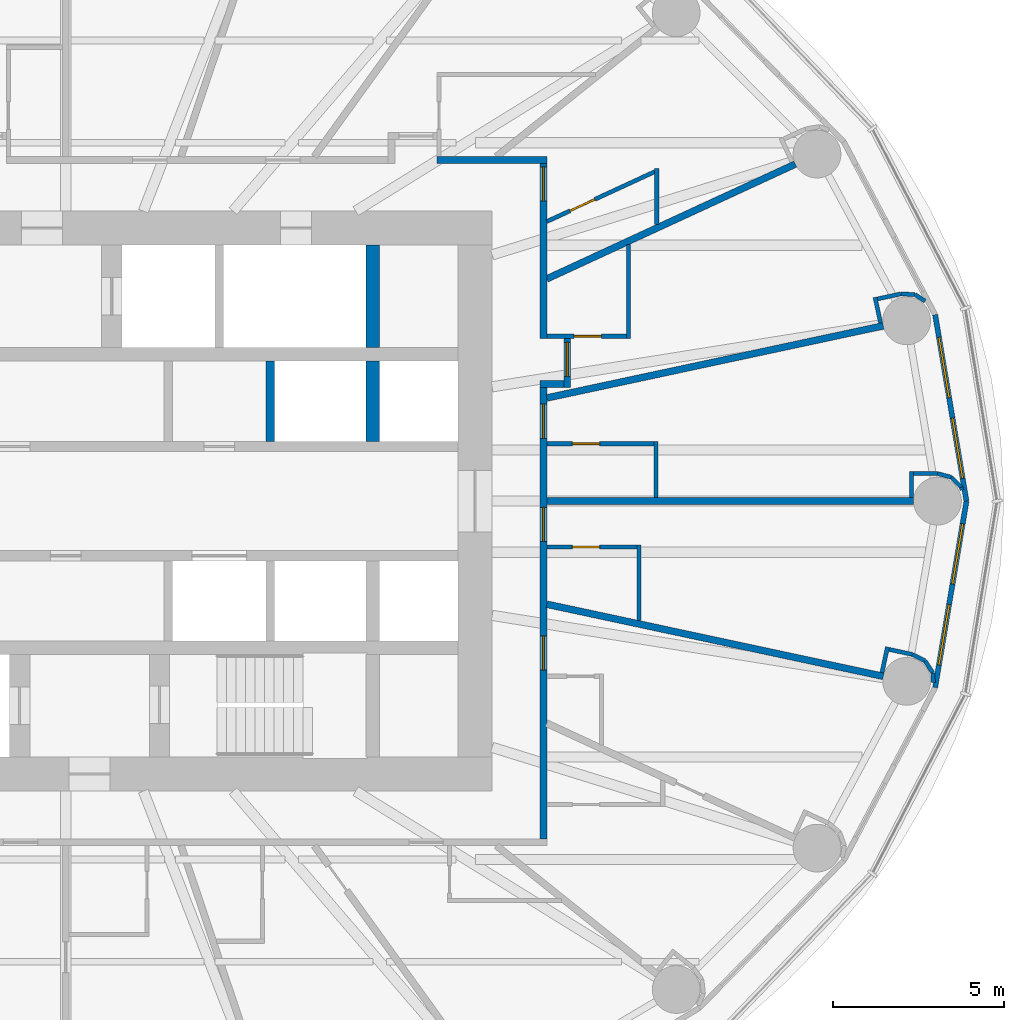
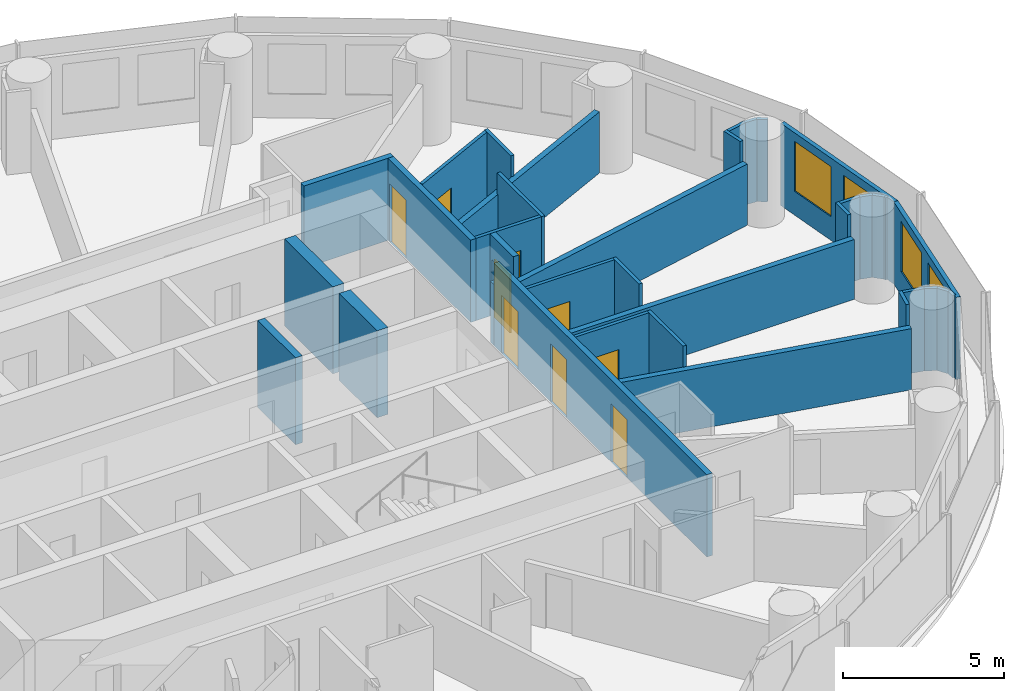
# One storey, part 11 of 16: 36 walls, 9 doors, 4 windows, 13 openings.
"""IFC4 building model written with IfcOpenShell, lengths in metres."""

from ifc_helpers import new_model, si_unit, direction, frame, frame_2d, origin, place, context, subcontext, project, spatial, rectangle, extrude, material, layer, layer_set, type_object, element, fill, save


model = new_model("IFC4")

# Units and contexts
model_context = context("Model", 3, precision=1e-05, world=origin(), true_north=direction((0.0, 1.0)))
body_context = subcontext(model_context, "Body", "Model", "MODEL_VIEW")
ifc_project = project(units=[si_unit("LENGTHUNIT", "METRE"), si_unit("AREAUNIT", "SQUARE_METRE"), si_unit("VOLUMEUNIT", "CUBIC_METRE"), si_unit("PLANEANGLEUNIT", "RADIAN"), si_unit("MASSUNIT", "GRAM", prefix="KILO")], contexts=[model_context])

# Site, building, storey
site_placement = place(None, origin())
site = spatial("IfcSite", under=ifc_project, at=site_placement, CompositionType="ELEMENT")
building_placement = place(site_placement, origin())
building = spatial("IfcBuilding", under=site, at=building_placement, Name="Hankou Lantern Tower", CompositionType="ELEMENT")
storey_placement = place(building_placement, frame((0.0, 0.0, 77.10009765625)))
storey = spatial("IfcBuildingStorey", under=building, at=storey_placement, Name="L19", CompositionType="ELEMENT", Elevation=77.10009765625)

# Walls
ifc_material_1 = material(Name="Concrete C60", Category="concrete")
ifc_layer_1 = layer(ifc_material_1, 0.39990234375)
ifc_layer_set_1 = layer_set([ifc_layer_1], Name="Concrete C60")
wall_type_1 = type_object("IfcWallType", Name="CW4 CORE CROSS WALL 400", PredefinedType="SHEAR", material=ifc_layer_set_1)
wall_1_placement = place(storey_placement, frame((9.0, 4.5, 0.0), z_axis=(0.0, 0.0, 1.0), x_axis=(0.0, 1.0, 0.0)))
element("IfcWall", 1, at=wall_1_placement, inside=storey, type_object=wall_type_1, Name="Core strip wall L19", PredefinedType="SHEAR", context=body_context, shape_type="SweptSolid", body=[
    extrude(rectangle(XDim=3.0, YDim=0.39990234375, at=frame_2d((1.5, 0.0))), origin(), (0.0, 0.0, 1.0), 3.2998046875),
])
wall_2_placement = place(storey_placement, frame((9.0, 1.75, 0.0), z_axis=(0.0, 0.0, 1.0), x_axis=(0.0, 1.0, 0.0)))
element("IfcWall", 2, at=wall_2_placement, inside=storey, type_object=wall_type_1, Name="Core strip wall L19", PredefinedType="SHEAR", context=body_context, shape_type="SweptSolid", body=[
    extrude(rectangle(XDim=2.35009765625, YDim=0.39990234375, at=frame_2d((1.175048828125, 0.0))), origin(), (0.0, 0.0, 1.0), 3.2998046875),
])

# Wall, openings, windows
ifc_material_2 = material(Name="Aluminium spandrel panel on steel studs", Category="steel")
ifc_layer_2 = layer(ifc_material_2, 0.14990234375)
ifc_layer_set_2 = layer_set([ifc_layer_2], Name="Aluminium spandrel panel on steel studs")
wall_type_2 = type_object("IfcWallType", Name="EW1 INNER SKIN WALL 150", PredefinedType="ELEMENTEDWALL", material=ifc_layer_set_2)
wall_3_placement = place(storey_placement, frame((26.39990234375, 0.0, 0.0), z_axis=(0.0, 0.0, 1.0), x_axis=(-0.165642551694, 0.986185857264, 0.0)))
wall_3 = element("IfcWall", 3, at=wall_3_placement, inside=storey, type_object=wall_type_2, Name="Inner skin R01-R02 L19", PredefinedType="ELEMENTEDWALL", context=body_context, shape_type="SweptSolid", body=[
    extrude(rectangle(XDim=5.538818359375, YDim=0.14990234375, at=frame_2d((2.76953125, 0.0))), origin(), (0.0, 0.0, 1.0), 3.119873046875),
])
opening_1_placement = place(wall_3_placement, frame((0.66943359375, 0.0, 0.89990234375)))
opening_1 = element("IfcOpeningElement", 4, at=opening_1_placement, cuts=wall_3, Name="Opening W1", PredefinedType="OPENING", context=body_context, shape_type="SweptSolid", body=[
    extrude(rectangle(XDim=1.800048828125, YDim=1.89990234375, at=frame_2d((0.89990234375, 0.949951171875))), frame((0.0, 0.0849609375, 0.0), z_axis=(0.0, -1.0, 0.0), x_axis=(1.0, 0.0, 0.0)), (0.0, 0.0, 1.0), 0.169921875),
])
opening_2_placement = place(wall_3_placement, frame((3.069580078125, 0.0, 0.89990234375)))
opening_2 = element("IfcOpeningElement", 5, at=opening_2_placement, cuts=wall_3, Name="Opening W1", PredefinedType="OPENING", context=body_context, shape_type="SweptSolid", body=[
    extrude(rectangle(XDim=1.800048828125, YDim=1.89990234375, at=frame_2d((0.89990234375, 0.949951171875))), frame((0.0, 0.0849609375, 0.0), z_axis=(0.0, -1.0, 0.0), x_axis=(1.0, 0.0, 0.0)), (0.0, 0.0, 1.0), 0.169921875),
])
ifc_material_3 = material(Name="Aluminium framed double glazed window", Category="aluminium")
window_type = type_object("IfcWindowType", Name="W1 GUEST ROOM WINDOW 1800X1900", PartitioningType="DOUBLE_PANEL_VERTICAL", PredefinedType="WINDOW", material=ifc_material_3)
window_1_placement = place(opening_1_placement, origin())
window_1 = element("IfcWindow", 6, at=window_1_placement, inside=storey, type_object=window_type, Name="Window R01.1 L19", OverallHeight=1.89990234375, OverallWidth=1.800048828125, PartitioningType="SINGLE_PANEL", PredefinedType="WINDOW", context=body_context, shape_type="SweptSolid", body=[
    extrude(rectangle(XDim=1.800048828125, YDim=1.89990234375, at=frame_2d((0.89990234375, 0.949951171875))), frame((0.0, 0.030029296875, 0.0), z_axis=(0.0, -1.0, 0.0), x_axis=(1.0, 0.0, 0.0)), (0.0, 0.0, 1.0), 0.06005859375),
])
fill(opening_1, window_1)
window_2_placement = place(opening_2_placement, origin())
window_2 = element("IfcWindow", 7, at=window_2_placement, inside=storey, type_object=window_type, Name="Window R01.2 L19", OverallHeight=1.89990234375, OverallWidth=1.800048828125, PartitioningType="SINGLE_PANEL", PredefinedType="WINDOW", context=body_context, shape_type="SweptSolid", body=[
    extrude(rectangle(XDim=1.800048828125, YDim=1.89990234375, at=frame_2d((0.89990234375, 0.949951171875))), frame((0.0, 0.030029296875, 0.0), z_axis=(0.0, -1.0, 0.0), x_axis=(1.0, 0.0, 0.0)), (0.0, 0.0, 1.0), 0.06005859375),
])
fill(opening_2, window_2)

wall_4_placement = place(storey_placement, frame((25.482421875, -5.46240234375, 0.0), z_axis=(0.0, 0.0, 1.0), x_axis=(0.165642551694, 0.986185857264, 0.0)))
wall_4 = element("IfcWall", 8, at=wall_4_placement, inside=storey, type_object=wall_type_2, Name="Inner skin R24-R01 L19", PredefinedType="ELEMENTEDWALL", context=body_context, shape_type="SweptSolid", body=[
    extrude(rectangle(XDim=5.538818359375, YDim=0.14990234375, at=frame_2d((2.76953125, 0.0))), origin(), (0.0, 0.0, 1.0), 3.119873046875),
])
opening_3_placement = place(wall_4_placement, frame((0.66943359375, 0.0, 0.89990234375)))
opening_3 = element("IfcOpeningElement", 9, at=opening_3_placement, cuts=wall_4, Name="Opening W1", PredefinedType="OPENING", context=body_context, shape_type="SweptSolid", body=[
    extrude(rectangle(XDim=1.800048828125, YDim=1.89990234375, at=frame_2d((0.89990234375, 0.949951171875))), frame((0.0, 0.0849609375, 0.0), z_axis=(0.0, -1.0, 0.0), x_axis=(1.0, 0.0, 0.0)), (0.0, 0.0, 1.0), 0.169921875),
])
opening_4_placement = place(wall_4_placement, frame((3.069580078125, 0.0, 0.89990234375)))
opening_4 = element("IfcOpeningElement", 10, at=opening_4_placement, cuts=wall_4, Name="Opening W1", PredefinedType="OPENING", context=body_context, shape_type="SweptSolid", body=[
    extrude(rectangle(XDim=1.800048828125, YDim=1.89990234375, at=frame_2d((0.89990234375, 0.949951171875))), frame((0.0, 0.0849609375, 0.0), z_axis=(0.0, -1.0, 0.0), x_axis=(1.0, 0.0, 0.0)), (0.0, 0.0, 1.0), 0.169921875),
])
window_3_placement = place(opening_3_placement, origin())
window_3 = element("IfcWindow", 11, at=window_3_placement, inside=storey, type_object=window_type, Name="Window R24.1 L19", OverallHeight=1.89990234375, OverallWidth=1.800048828125, PartitioningType="SINGLE_PANEL", PredefinedType="WINDOW", context=body_context, shape_type="SweptSolid", body=[
    extrude(rectangle(XDim=1.800048828125, YDim=1.89990234375, at=frame_2d((0.89990234375, 0.949951171875))), frame((0.0, 0.030029296875, 0.0), z_axis=(0.0, -1.0, 0.0), x_axis=(1.0, 0.0, 0.0)), (0.0, 0.0, 1.0), 0.06005859375),
])
fill(opening_3, window_3)
window_4_placement = place(opening_4_placement, origin())
window_4 = element("IfcWindow", 12, at=window_4_placement, inside=storey, type_object=window_type, Name="Window R24.2 L19", OverallHeight=1.89990234375, OverallWidth=1.800048828125, PartitioningType="SINGLE_PANEL", PredefinedType="WINDOW", context=body_context, shape_type="SweptSolid", body=[
    extrude(rectangle(XDim=1.800048828125, YDim=1.89990234375, at=frame_2d((0.89990234375, 0.949951171875))), frame((0.0, 0.030029296875, 0.0), z_axis=(0.0, -1.0, 0.0), x_axis=(1.0, 0.0, 0.0)), (0.0, 0.0, 1.0), 0.06005859375),
])
fill(opening_4, window_4)

# Walls
ifc_material_4 = material(Name="Masonry lightweight concrete block", Category="masonry")
ifc_layer_3 = layer(ifc_material_4, 0.199951171875)
ifc_layer_set_3 = layer_set([ifc_layer_3], Name="Masonry lightweight concrete block")
wall_type_3 = type_object("IfcWallType", Name="IW1 GUEST ROOM PARTY WALL 200", PredefinedType="PARTITIONING", material=ifc_layer_set_3)
wall_5_placement = place(storey_placement, frame((14.10009765625, 0.0, 0.0), z_axis=(0.0, 0.0, 1.0), x_axis=(1.0, 0.0, 0.0)))
element("IfcWall", 13, at=wall_5_placement, inside=storey, type_object=wall_type_3, Name="Party wall R01", PredefinedType="PARTITIONING", context=body_context, shape_type="SweptSolid", body=[
    extrude(rectangle(XDim=10.75, YDim=0.199951171875, at=frame_2d((5.375, 0.0))), origin(), (0.0, 0.0, 1.0), 2.27001953125),
])
wall_6_placement = place(storey_placement, frame((14.10009765625, 3.0224609375, 0.0), z_axis=(0.0, 0.0, 1.0), x_axis=(0.977790014929, 0.209586943072, 0.0)))
element("IfcWall", 14, at=wall_6_placement, inside=storey, type_object=wall_type_3, Name="Party wall R02", PredefinedType="PARTITIONING", context=body_context, shape_type="SweptSolid", body=[
    extrude(rectangle(XDim=10.086669921875, YDim=0.199951171875, at=frame_2d((5.04345703125, 0.0))), origin(), (0.0, 0.0, 1.0), 2.31982421875),
])
wall_7_placement = place(storey_placement, frame((14.10009765625, 6.512451171875, 0.0), z_axis=(0.0, 0.0, 1.0), x_axis=(0.907832871056, 0.419332181247, 0.0)))
element("IfcWall", 15, at=wall_7_placement, inside=storey, type_object=wall_type_3, Name="Party wall R03", PredefinedType="PARTITIONING", context=body_context, shape_type="SweptSolid", body=[
    extrude(rectangle(XDim=8.02294921875, YDim=0.199951171875, at=frame_2d((4.011474609375, 0.0))), origin(), (0.0, 0.0, 1.0), 2.31982421875),
])
wall_8_placement = place(storey_placement, frame((14.10009765625, -3.0224609375, 0.0), z_axis=(0.0, 0.0, 1.0), x_axis=(0.977790014929, -0.209586943072, 0.0)))
element("IfcWall", 16, at=wall_8_placement, inside=storey, type_object=wall_type_3, Name="Party wall R24", PredefinedType="PARTITIONING", context=body_context, shape_type="SweptSolid", body=[
    extrude(rectangle(XDim=10.086669921875, YDim=0.199951171875, at=frame_2d((5.04345703125, 0.0))), origin(), (0.0, 0.0, 1.0), 2.31982421875),
])

# Wall, opening, door
ifc_material_5 = material(Name="Masonry lightweight concrete block", Category="masonry")
ifc_layer_4 = layer(ifc_material_5, 0.199951171875)
ifc_layer_set_4 = layer_set([ifc_layer_4], Name="Masonry lightweight concrete block")
wall_type_4 = type_object("IfcWallType", Name="IW2 CORRIDOR WALL 200", PredefinedType="PARTITIONING", material=ifc_layer_set_4)
wall_9_placement = place(storey_placement, frame((14.699951171875, 3.33251953125, 0.0), z_axis=(0.0, 0.0, 1.0), x_axis=(0.0, 1.0, 0.0)))
wall_9 = element("IfcWall", 17, at=wall_9_placement, inside=storey, type_object=wall_type_4, Name="Corridor recess wall 1907 back", PredefinedType="PARTITIONING", context=body_context, shape_type="SweptSolid", body=[
    extrude(rectangle(XDim=1.43994140625, YDim=0.199951171875, at=frame_2d((0.719970703125, 0.0))), origin(), (0.0, 0.0, 1.0), 3.119873046875),
])
opening_5_placement = place(wall_9_placement, frame((0.320068359375, 0.0, 0.0)))
opening_5 = element("IfcOpeningElement", 18, at=opening_5_placement, cuts=wall_9, Name="Opening D1", PredefinedType="OPENING", context=body_context, shape_type="SweptSolid", body=[
    extrude(rectangle(XDim=1.0, YDim=2.199951171875, at=frame_2d((0.5, 1.10009765625))), frame((0.0, 0.10986328125, 0.0), z_axis=(0.0, -1.0, 0.0), x_axis=(1.0, 0.0, 0.0)), (0.0, 0.0, 1.0), 0.219970703125),
])
ifc_material_6 = material(Name="Steel door leaf", Category="steel")
door_type_1 = type_object("IfcDoorType", Name="D1 GUEST ROOM DOOR 1000X2200", OperationType="SINGLE_SWING_LEFT", PredefinedType="DOOR", material=ifc_material_6)
door_1_placement = place(opening_5_placement, origin())
door_1 = element("IfcDoor", 19, at=door_1_placement, inside=storey, type_object=door_type_1, Name="Guest room door 1907", OperationType="SINGLE_SWING_RIGHT", OverallHeight=2.199951171875, OverallWidth=1.0, PredefinedType="DOOR", context=body_context, shape_type="SweptSolid", body=[
    extrude(rectangle(XDim=1.0, YDim=2.199951171875, at=frame_2d((0.5, 1.10009765625))), frame((0.0, 0.02490234375, 0.0), z_axis=(0.0, -1.0, 0.0), x_axis=(1.0, 0.0, 0.0)), (0.0, 0.0, 1.0), 0.050048828125),
])
fill(opening_5, door_1)

# Wall
wall_10_placement = place(storey_placement, frame((13.89990234375, 3.4326171875, 0.0), z_axis=(0.0, 0.0, 1.0), x_axis=(1.0, 0.0, 0.0)))
element("IfcWall", 20, at=wall_10_placement, inside=storey, type_object=wall_type_4, Name="Corridor recess wall 1907 side", PredefinedType="PARTITIONING", context=body_context, shape_type="SweptSolid", body=[
    extrude(rectangle(XDim=0.7001953125, YDim=0.199951171875, at=frame_2d((0.35009765625, 0.0))), origin(), (0.0, 0.0, 1.0), 2.31982421875),
])

# Wall, openings, doors
wall_11_placement = place(storey_placement, frame((14.0, -9.89990234375, 0.0), z_axis=(0.0, 0.0, 1.0), x_axis=(0.0, 1.0, 0.0)))
wall_11 = element("IfcWall", 21, at=wall_11_placement, inside=storey, type_object=wall_type_4, Name="Corridor wall east", PredefinedType="PARTITIONING", context=body_context, shape_type="SweptSolid", body=[
    extrude(rectangle(XDim=13.232421875, YDim=0.199951171875, at=frame_2d((6.6162109375, 0.0))), origin(), (0.0, 0.0, 1.0), 3.119873046875),
])
opening_6_placement = place(wall_11_placement, frame((4.947509765625, 0.0, 0.0)))
opening_6 = element("IfcOpeningElement", 22, at=opening_6_placement, cuts=wall_11, Name="Opening D2", PredefinedType="OPENING", context=body_context, shape_type="SweptSolid", body=[
    extrude(rectangle(XDim=1.0, YDim=2.199951171875, at=frame_2d((0.5, 1.10009765625))), frame((0.0, 0.10986328125, 0.0), z_axis=(0.0, -1.0, 0.0), x_axis=(1.0, 0.0, 0.0)), (0.0, 0.0, 1.0), 0.219970703125),
])
opening_7_placement = place(wall_11_placement, frame((8.717529296875, 0.0, 0.0)))
opening_7 = element("IfcOpeningElement", 23, at=opening_7_placement, cuts=wall_11, Name="Opening D1", PredefinedType="OPENING", context=body_context, shape_type="SweptSolid", body=[
    extrude(rectangle(XDim=1.0, YDim=2.199951171875, at=frame_2d((0.5, 1.10009765625))), frame((0.0, 0.10986328125, 0.0), z_axis=(0.0, -1.0, 0.0), x_axis=(1.0, 0.0, 0.0)), (0.0, 0.0, 1.0), 0.219970703125),
])
opening_8_placement = place(wall_11_placement, frame((11.739990234375, 0.0, 0.0)))
opening_8 = element("IfcOpeningElement", 24, at=opening_8_placement, cuts=wall_11, Name="Opening D1", PredefinedType="OPENING", context=body_context, shape_type="SweptSolid", body=[
    extrude(rectangle(XDim=1.0, YDim=2.199951171875, at=frame_2d((0.5, 1.10009765625))), frame((0.0, 0.10986328125, 0.0), z_axis=(0.0, -1.0, 0.0), x_axis=(1.0, 0.0, 0.0)), (0.0, 0.0, 1.0), 0.219970703125),
])
door_2_placement = place(opening_7_placement, origin())
door_2 = element("IfcDoor", 25, at=door_2_placement, inside=storey, type_object=door_type_1, Name="Guest room door 1905", OperationType="SINGLE_SWING_LEFT", OverallHeight=2.199951171875, OverallWidth=1.0, PredefinedType="DOOR", context=body_context, shape_type="SweptSolid", body=[
    extrude(rectangle(XDim=1.0, YDim=2.199951171875, at=frame_2d((0.5, 1.10009765625))), frame((0.0, 0.02490234375, 0.0), z_axis=(0.0, -1.0, 0.0), x_axis=(1.0, 0.0, 0.0)), (0.0, 0.0, 1.0), 0.050048828125),
])
fill(opening_7, door_2)
door_3_placement = place(opening_8_placement, origin())
door_3 = element("IfcDoor", 26, at=door_3_placement, inside=storey, type_object=door_type_1, Name="Guest room door 1906", OperationType="SINGLE_SWING_LEFT", OverallHeight=2.199951171875, OverallWidth=1.0, PredefinedType="DOOR", context=body_context, shape_type="SweptSolid", body=[
    extrude(rectangle(XDim=1.0, YDim=2.199951171875, at=frame_2d((0.5, 1.10009765625))), frame((0.0, 0.02490234375, 0.0), z_axis=(0.0, -1.0, 0.0), x_axis=(1.0, 0.0, 0.0)), (0.0, 0.0, 1.0), 0.050048828125),
])
fill(opening_8, door_3)
ifc_material_7 = material(Name="Steel door leaf", Category="steel")
door_type_2 = type_object("IfcDoorType", Name="D2 SUITE DOOR 1000X2200", OperationType="SINGLE_SWING_LEFT", PredefinedType="DOOR", material=ifc_material_7)
door_4_placement = place(opening_6_placement, origin())
door_4 = element("IfcDoor", 27, at=door_4_placement, inside=storey, type_object=door_type_2, Name="Suite door 1904C", OperationType="SINGLE_SWING_LEFT", OverallHeight=2.199951171875, OverallWidth=1.0, PredefinedType="DOOR", context=body_context, shape_type="SweptSolid", body=[
    extrude(rectangle(XDim=1.0, YDim=2.199951171875, at=frame_2d((0.5, 1.10009765625))), frame((0.0, 0.02490234375, 0.0), z_axis=(0.0, -1.0, 0.0), x_axis=(1.0, 0.0, 0.0)), (0.0, 0.0, 1.0), 0.050048828125),
])
fill(opening_6, door_4)

# Wall, opening, door
wall_12_placement = place(storey_placement, frame((14.0, 4.7724609375, 0.0), z_axis=(0.0, 0.0, 1.0), x_axis=(0.0, 1.0, 0.0)))
wall_12 = element("IfcWall", 28, at=wall_12_placement, inside=storey, type_object=wall_type_4, Name="Corridor wall east", PredefinedType="PARTITIONING", context=body_context, shape_type="SweptSolid", body=[
    extrude(rectangle(XDim=5.12744140625, YDim=0.199951171875, at=frame_2d((2.563720703125, 0.0))), origin(), (0.0, 0.0, 1.0), 3.119873046875),
])
opening_9_placement = place(wall_12_placement, frame((4.02490234375, 0.0, 0.0)))
opening_9 = element("IfcOpeningElement", 29, at=opening_9_placement, cuts=wall_12, Name="Opening D1", PredefinedType="OPENING", context=body_context, shape_type="SweptSolid", body=[
    extrude(rectangle(XDim=1.0, YDim=2.199951171875, at=frame_2d((0.5, 1.10009765625))), frame((0.0, 0.10986328125, 0.0), z_axis=(0.0, -1.0, 0.0), x_axis=(1.0, 0.0, 0.0)), (0.0, 0.0, 1.0), 0.219970703125),
])
door_5_placement = place(opening_9_placement, origin())
door_5 = element("IfcDoor", 30, at=door_5_placement, inside=storey, type_object=door_type_1, Name="Guest room door 1908", OperationType="SINGLE_SWING_RIGHT", OverallHeight=2.199951171875, OverallWidth=1.0, PredefinedType="DOOR", context=body_context, shape_type="SweptSolid", body=[
    extrude(rectangle(XDim=1.0, YDim=2.199951171875, at=frame_2d((0.5, 1.10009765625))), frame((0.0, 0.02490234375, 0.0), z_axis=(0.0, -1.0, 0.0), x_axis=(1.0, 0.0, 0.0)), (0.0, 0.0, 1.0), 0.050048828125),
])
fill(opening_9, door_5)

# Walls
wall_13_placement = place(storey_placement, frame((10.885009765625, 10.0, 0.0), z_axis=(0.0, 0.0, 1.0), x_axis=(1.0, 0.0, 0.0)))
element("IfcWall", 31, at=wall_13_placement, inside=storey, type_object=wall_type_4, Name="Corridor wall north", PredefinedType="PARTITIONING", context=body_context, shape_type="SweptSolid", body=[
    extrude(rectangle(XDim=3.215087890625, YDim=0.199951171875, at=frame_2d((1.607421875, 0.0))), origin(), (0.0, 0.0, 1.0), 3.119873046875),
])
ifc_material_8 = material(Name="Masonry lightweight concrete block", Category="masonry")
ifc_layer_5 = layer(ifc_material_8, 0.1201171875)
ifc_layer_set_5 = layer_set([ifc_layer_5], Name="Masonry lightweight concrete block")
wall_type_5 = type_object("IfcWallType", Name="IW3 BATHROOM WALL 120", PredefinedType="PARTITIONING", material=ifc_layer_set_5)
wall_14_placement = place(storey_placement, frame((16.800048828125, -3.501220703125, 0.0), z_axis=(0.0, 0.0, 1.0), x_axis=(0.0, 1.0, 0.0)))
element("IfcWall", 32, at=wall_14_placement, inside=storey, type_object=wall_type_5, Name="Box wall 1905 1", PredefinedType="PARTITIONING", context=body_context, shape_type="SweptSolid", body=[
    extrude(rectangle(XDim=2.21875, YDim=0.1201171875, at=frame_2d((1.109375, 0.0))), origin(), (0.0, 0.0, 1.0), 3.119873046875),
])

# Wall, opening, door
wall_15_placement = place(storey_placement, frame((14.10009765625, -1.342529296875, 0.0), z_axis=(0.0, 0.0, 1.0), x_axis=(1.0, 0.0, 0.0)))
wall_15 = element("IfcWall", 33, at=wall_15_placement, inside=storey, type_object=wall_type_5, Name="Box wall 1905 1", PredefinedType="PARTITIONING", context=body_context, shape_type="SweptSolid", body=[
    extrude(rectangle(XDim=2.639892578125, YDim=0.1201171875, at=frame_2d((1.31982421875, 0.0))), origin(), (0.0, 0.0, 1.0), 3.119873046875),
])
opening_10_placement = place(wall_15_placement, frame((0.75, 0.0, 0.0)))
opening_10 = element("IfcOpeningElement", 34, at=opening_10_placement, cuts=wall_15, Name="Opening D3", PredefinedType="OPENING", context=body_context, shape_type="SweptSolid", body=[
    extrude(rectangle(XDim=0.800048828125, YDim=2.10009765625, at=frame_2d((0.39990234375, 1.050048828125))), frame((0.0, 0.070068359375, 0.0), z_axis=(0.0, -1.0, 0.0), x_axis=(1.0, 0.0, 0.0)), (0.0, 0.0, 1.0), 0.14013671875),
])
ifc_material_9 = material(Name="Timber door leaf", Category="wood")
door_type_3 = type_object("IfcDoorType", Name="D3 BATHROOM DOOR 800X2100", OperationType="SINGLE_SWING_LEFT", PredefinedType="DOOR", material=ifc_material_9)
door_6_placement = place(opening_10_placement, origin())
door_6 = element("IfcDoor", 35, at=door_6_placement, inside=storey, type_object=door_type_3, Name="En-suite bathroom 1905 door", OperationType="SINGLE_SWING_LEFT", OverallHeight=2.10009765625, OverallWidth=0.800048828125, PredefinedType="DOOR", context=body_context, shape_type="SweptSolid", body=[
    extrude(rectangle(XDim=0.800048828125, YDim=2.10009765625, at=frame_2d((0.39990234375, 1.050048828125))), frame((0.0, 0.02490234375, 0.0), z_axis=(0.0, -1.0, 0.0), x_axis=(1.0, 0.0, 0.0)), (0.0, 0.0, 1.0), 0.050048828125),
])
fill(opening_10, door_6)

# Wall
wall_16_placement = place(storey_placement, frame((17.300048828125, 0.10009765625, 0.0), z_axis=(0.0, 0.0, 1.0), x_axis=(0.0, 1.0, 0.0)))
element("IfcWall", 36, at=wall_16_placement, inside=storey, type_object=wall_type_5, Name="Box wall 1906 1", PredefinedType="PARTITIONING", context=body_context, shape_type="SweptSolid", body=[
    extrude(rectangle(XDim=1.639892578125, YDim=0.1201171875, at=frame_2d((0.81982421875, 0.0))), origin(), (0.0, 0.0, 1.0), 3.119873046875),
])

# Wall, opening, door
wall_17_placement = place(storey_placement, frame((14.10009765625, 1.679931640625, 0.0), z_axis=(0.0, 0.0, 1.0), x_axis=(1.0, 0.0, 0.0)))
wall_17 = element("IfcWall", 37, at=wall_17_placement, inside=storey, type_object=wall_type_5, Name="Box wall 1906 1", PredefinedType="PARTITIONING", context=body_context, shape_type="SweptSolid", body=[
    extrude(rectangle(XDim=3.139892578125, YDim=0.1201171875, at=frame_2d((1.56982421875, 0.0))), origin(), (0.0, 0.0, 1.0), 3.119873046875),
])
opening_11_placement = place(wall_17_placement, frame((0.75, 0.0, 0.0)))
opening_11 = element("IfcOpeningElement", 38, at=opening_11_placement, cuts=wall_17, Name="Opening D3", PredefinedType="OPENING", context=body_context, shape_type="SweptSolid", body=[
    extrude(rectangle(XDim=0.800048828125, YDim=2.10009765625, at=frame_2d((0.39990234375, 1.050048828125))), frame((0.0, 0.070068359375, 0.0), z_axis=(0.0, -1.0, 0.0), x_axis=(1.0, 0.0, 0.0)), (0.0, 0.0, 1.0), 0.14013671875),
])
door_7_placement = place(opening_11_placement, origin())
door_7 = element("IfcDoor", 39, at=door_7_placement, inside=storey, type_object=door_type_3, Name="En-suite bathroom 1906 door", OperationType="SINGLE_SWING_LEFT", OverallHeight=2.10009765625, OverallWidth=0.800048828125, PredefinedType="DOOR", context=body_context, shape_type="SweptSolid", body=[
    extrude(rectangle(XDim=0.800048828125, YDim=2.10009765625, at=frame_2d((0.39990234375, 1.050048828125))), frame((0.0, 0.02490234375, 0.0), z_axis=(0.0, -1.0, 0.0), x_axis=(1.0, 0.0, 0.0)), (0.0, 0.0, 1.0), 0.050048828125),
])
fill(opening_11, door_7)

# Wall
wall_18_placement = place(storey_placement, frame((16.5, 7.52099609375, 0.0), z_axis=(0.0, 0.0, 1.0), x_axis=(0.0, -1.0, 0.0)))
element("IfcWall", 40, at=wall_18_placement, inside=storey, type_object=wall_type_5, Name="Box wall 1907 1", PredefinedType="PARTITIONING", context=body_context, shape_type="SweptSolid", body=[
    extrude(rectangle(XDim=2.74853515625, YDim=0.1201171875, at=frame_2d((1.374267578125, 0.0))), origin(), (0.0, 0.0, 1.0), 3.119873046875),
])

# Wall, opening, door
wall_19_placement = place(storey_placement, frame((14.10009765625, 4.83251953125, 0.0), z_axis=(0.0, 0.0, 1.0), x_axis=(1.0, 0.0, 0.0)))
wall_19 = element("IfcWall", 41, at=wall_19_placement, inside=storey, type_object=wall_type_5, Name="Box wall 1907 1", PredefinedType="PARTITIONING", context=body_context, shape_type="SweptSolid", body=[
    extrude(rectangle(XDim=2.33984375, YDim=0.1201171875, at=frame_2d((1.169921875, 0.0))), origin(), (0.0, 0.0, 1.0), 3.119873046875),
])
opening_12_placement = place(wall_19_placement, frame((0.800048828125, 0.0, 0.0)))
opening_12 = element("IfcOpeningElement", 42, at=opening_12_placement, cuts=wall_19, Name="Opening D3", PredefinedType="OPENING", context=body_context, shape_type="SweptSolid", body=[
    extrude(rectangle(XDim=0.800048828125, YDim=2.10009765625, at=frame_2d((0.39990234375, 1.050048828125))), frame((0.0, 0.070068359375, 0.0), z_axis=(0.0, -1.0, 0.0), x_axis=(1.0, 0.0, 0.0)), (0.0, 0.0, 1.0), 0.14013671875),
])
door_8_placement = place(opening_12_placement, origin())
door_8 = element("IfcDoor", 43, at=door_8_placement, inside=storey, type_object=door_type_3, Name="En-suite bathroom 1907 door", OperationType="SINGLE_SWING_RIGHT", OverallHeight=2.10009765625, OverallWidth=0.800048828125, PredefinedType="DOOR", context=body_context, shape_type="SweptSolid", body=[
    extrude(rectangle(XDim=0.800048828125, YDim=2.10009765625, at=frame_2d((0.39990234375, 1.050048828125))), frame((0.0, 0.02490234375, 0.0), z_axis=(0.0, -1.0, 0.0), x_axis=(1.0, 0.0, 0.0)), (0.0, 0.0, 1.0), 0.050048828125),
])
fill(opening_12, door_8)

# Wall
wall_20_placement = place(storey_placement, frame((17.32275390625, 8.10107421875, 0.0), z_axis=(0.0, 0.0, 1.0), x_axis=(0.0, 1.0, 0.0)))
element("IfcWall", 44, at=wall_20_placement, inside=storey, type_object=wall_type_5, Name="Box wall 1908 1", PredefinedType="PARTITIONING", context=body_context, shape_type="SweptSolid", body=[
    extrude(rectangle(XDim=1.639892578125, YDim=0.1201171875, at=frame_2d((0.81982421875, 0.0))), origin(), (0.0, 0.0, 1.0), 3.119873046875),
])

# Wall, opening, door
wall_21_placement = place(storey_placement, frame((14.10009765625, 8.192626953125, 0.0), z_axis=(0.0, 0.0, 1.0), x_axis=(0.907836493557, 0.419324338628, 0.0)))
wall_21 = element("IfcWall", 45, at=wall_21_placement, inside=storey, type_object=wall_type_5, Name="Box wall 1908 1", PredefinedType="PARTITIONING", context=body_context, shape_type="SweptSolid", body=[
    extrude(rectangle(XDim=3.48974609375, YDim=0.1201171875, at=frame_2d((1.744873046875, 0.0))), origin(), (0.0, 0.0, 1.0), 3.119873046875),
])
opening_13_placement = place(wall_21_placement, frame((0.75, 0.0, 0.0)))
opening_13 = element("IfcOpeningElement", 46, at=opening_13_placement, cuts=wall_21, Name="Opening D3", PredefinedType="OPENING", context=body_context, shape_type="SweptSolid", body=[
    extrude(rectangle(XDim=0.800048828125, YDim=2.10009765625, at=frame_2d((0.39990234375, 1.050048828125))), frame((0.0, 0.070068359375, 0.0), z_axis=(0.0, -1.0, 0.0), x_axis=(1.0, 0.0, 0.0)), (0.0, 0.0, 1.0), 0.14013671875),
])
door_9_placement = place(opening_13_placement, origin())
door_9 = element("IfcDoor", 47, at=door_9_placement, inside=storey, type_object=door_type_3, Name="En-suite bathroom 1908 door", OperationType="SINGLE_SWING_LEFT", OverallHeight=2.10009765625, OverallWidth=0.800048828125, PredefinedType="DOOR", context=body_context, shape_type="SweptSolid", body=[
    extrude(rectangle(XDim=0.800048828125, YDim=2.10009765625, at=frame_2d((0.39990234375, 1.050048828125))), frame((0.0, 0.02490234375, 0.0), z_axis=(0.0, -1.0, 0.0), x_axis=(1.0, 0.0, 0.0)), (0.0, 0.0, 1.0), 0.050048828125),
])
fill(opening_13, door_9)

# Walls
ifc_material_10 = material(Name="Masonry lightweight concrete block", Category="masonry")
ifc_layer_6 = layer(ifc_material_10, 0.1201171875)
ifc_layer_set_6 = layer_set([ifc_layer_6], Name="Masonry lightweight concrete block")
wall_type_6 = type_object("IfcWallType", Name="IW4 PARTITION 120", PredefinedType="PARTITIONING", material=ifc_layer_set_6)
wall_22_placement = place(storey_placement, frame((24.7900390625, 0.10009765625, 0.0), z_axis=(0.0, 0.0, 1.0), x_axis=(0.0, 1.0, 0.0)))
element("IfcWall", 48, at=wall_22_placement, inside=storey, type_object=wall_type_6, Name="Column casing R01 return", PredefinedType="PARTITIONING", context=body_context, shape_type="SweptSolid", body=[
    extrude(rectangle(XDim=0.767333984375, YDim=0.1201171875, at=frame_2d((0.3837890625, 0.0))), origin(), (0.0, 0.0, 1.0), 3.119873046875),
])
wall_23_placement = place(storey_placement, frame((24.85009765625, 0.8076171875, 0.0), z_axis=(0.0, 0.0, 1.0), x_axis=(1.0, 0.0, 0.0)))
element("IfcWall", 49, at=wall_23_placement, inside=storey, type_object=wall_type_6, Name="Column casing R01", PredefinedType="PARTITIONING", context=body_context, shape_type="SweptSolid", body=[
    extrude(rectangle(XDim=0.699951171875, YDim=0.1201171875, at=frame_2d((0.35009765625, 0.0))), origin(), (0.0, 0.0, 1.0), 3.119873046875),
])
wall_24_placement = place(storey_placement, frame((25.550048828125, 0.8076171875, 0.0), z_axis=(0.0, 0.0, 1.0), x_axis=(0.965807183573, -0.2592614205, 0.0)))
element("IfcWall", 50, at=wall_24_placement, inside=storey, type_object=wall_type_6, Name="Column casing R01", PredefinedType="PARTITIONING", context=body_context, shape_type="SweptSolid", body=[
    extrude(rectangle(XDim=0.418212890625, YDim=0.1201171875, at=frame_2d((0.208984375, 0.0))), origin(), (0.0, 0.0, 1.0), 3.119873046875),
])
wall_25_placement = place(storey_placement, frame((25.953857421875, 0.69921875, 0.0), z_axis=(0.0, 0.0, 1.0), x_axis=(0.707106781187, -0.707106781187, 0.0)))
element("IfcWall", 51, at=wall_25_placement, inside=storey, type_object=wall_type_6, Name="Column casing R01", PredefinedType="PARTITIONING", context=body_context, shape_type="SweptSolid", body=[
    extrude(rectangle(XDim=0.417724609375, YDim=0.1201171875, at=frame_2d((0.208984375, 0.0))), origin(), (0.0, 0.0, 1.0), 3.119873046875),
])
wall_26_placement = place(storey_placement, frame((26.249267578125, 0.40380859375, 0.0), z_axis=(0.0, 0.0, 1.0), x_axis=(0.259754282609, -0.965674744759, 0.0)))
element("IfcWall", 52, at=wall_26_placement, inside=storey, type_object=wall_type_6, Name="Column casing R01", PredefinedType="PARTITIONING", context=body_context, shape_type="SweptSolid", body=[
    extrude(rectangle(XDim=0.079833984375, YDim=0.1201171875, at=frame_2d((0.0400390625, 0.0))), origin(), (0.0, 0.0, 1.0), 3.119873046875),
])
wall_27_placement = place(storey_placement, frame((23.8828125, 5.2216796875, 0.0), z_axis=(0.0, 0.0, 1.0), x_axis=(-0.209311842415, 0.977848941619, 0.0)))
element("IfcWall", 53, at=wall_27_placement, inside=storey, type_object=wall_type_6, Name="Column casing R02 return", PredefinedType="PARTITIONING", context=body_context, shape_type="SweptSolid", body=[
    extrude(rectangle(XDim=0.767578125, YDim=0.1201171875, at=frame_2d((0.3837890625, 0.0))), origin(), (0.0, 0.0, 1.0), 3.119873046875),
])
wall_28_placement = place(storey_placement, frame((23.793212890625, 5.92626953125, 0.0), z_axis=(0.0, 0.0, 1.0), x_axis=(0.977792206673, 0.209576717621, 0.0)))
element("IfcWall", 54, at=wall_28_placement, inside=storey, type_object=wall_type_6, Name="Column casing R02", PredefinedType="PARTITIONING", context=body_context, shape_type="SweptSolid", body=[
    extrude(rectangle(XDim=0.7001953125, YDim=0.1201171875, at=frame_2d((0.35009765625, 0.0))), origin(), (0.0, 0.0, 1.0), 3.119873046875),
])
wall_29_placement = place(storey_placement, frame((24.477783203125, 6.072998046875, 0.0), z_axis=(0.0, 0.0, 1.0), x_axis=(0.998708262812, -0.05081147302, 0.0)))
element("IfcWall", 55, at=wall_29_placement, inside=storey, type_object=wall_type_6, Name="Column casing R02", PredefinedType="PARTITIONING", context=body_context, shape_type="SweptSolid", body=[
    extrude(rectangle(XDim=0.41796875, YDim=0.1201171875, at=frame_2d((0.208984375, 0.0))), origin(), (0.0, 0.0, 1.0), 3.119873046875),
])
wall_30_placement = place(storey_placement, frame((24.895263671875, 6.0517578125, 0.0), z_axis=(0.0, 0.0, 1.0), x_axis=(0.839495197275, -0.54336710772, 0.0)))
element("IfcWall", 56, at=wall_30_placement, inside=storey, type_object=wall_type_6, Name="Column casing R02", PredefinedType="PARTITIONING", context=body_context, shape_type="SweptSolid", body=[
    extrude(rectangle(XDim=0.349609375, YDim=0.1201171875, at=frame_2d((0.1748046875, 0.0))), origin(), (0.0, 0.0, 1.0), 3.119873046875),
])
wall_31_placement = place(storey_placement, frame((23.9248046875, -5.026123046875, 0.0), z_axis=(0.0, 0.0, 1.0), x_axis=(0.209681192172, 0.977769808109, 0.0)))
element("IfcWall", 57, at=wall_31_placement, inside=storey, type_object=wall_type_6, Name="Column casing R24 return", PredefinedType="PARTITIONING", context=body_context, shape_type="SweptSolid", body=[
    extrude(rectangle(XDim=0.767333984375, YDim=0.1201171875, at=frame_2d((0.3837890625, 0.0))), origin(), (0.0, 0.0, 1.0), 3.119873046875),
])
wall_32_placement = place(storey_placement, frame((24.1318359375, -4.346923828125, 0.0), z_axis=(0.0, 0.0, 1.0), x_axis=(0.977776882509, -0.209648200638, 0.0)))
element("IfcWall", 58, at=wall_32_placement, inside=storey, type_object=wall_type_6, Name="Column casing R24", PredefinedType="PARTITIONING", context=body_context, shape_type="SweptSolid", body=[
    extrude(rectangle(XDim=0.699951171875, YDim=0.1201171875, at=frame_2d((0.35009765625, 0.0))), origin(), (0.0, 0.0, 1.0), 3.119873046875),
])
for number, where, z_axis, x_axis, name in (
    (59, (24.816162109375, -4.49365234375, 0.0), (0.0, 0.0, 1.0), (0.890303208847, -0.455368198623, 0.0), "Column casing R24"),
    (60, (25.1884765625, -4.68408203125, 0.0), (0.0, 0.0, 1.0), (0.543057568894, -0.839695466742, 0.0), "Column casing R24"),
):
    element("IfcWall", number, at=place(storey_placement, frame(where, z_axis=z_axis, x_axis=x_axis)), inside=storey, type_object=wall_type_6, Name=name, PredefinedType="PARTITIONING", context=body_context, shape_type="SweptSolid", body=[
        extrude(rectangle(XDim=0.418212890625, YDim=0.1201171875, at=frame_2d((0.208984375, 0.0))), origin(), (0.0, 0.0, 1.0), 3.119873046875),
    ])
wall_33_placement = place(storey_placement, frame((25.41552734375, -5.03515625, 0.0), z_axis=(0.0, 0.0, 1.0), x_axis=(0.050406329159, -0.998728793007, 0.0)))
element("IfcWall", 61, at=wall_33_placement, inside=storey, type_object=wall_type_6, Name="Column casing R24", PredefinedType="PARTITIONING", context=body_context, shape_type="SweptSolid", body=[
    extrude(rectangle(XDim=0.28564453125, YDim=0.1201171875, at=frame_2d((0.142822265625, 0.0))), origin(), (0.0, 0.0, 1.0), 3.119873046875),
])
ifc_material_11 = material(Name="Masonry autoclaved aerated concrete block", Category="masonry")
ifc_layer_7 = layer(ifc_material_11, 0.25)
ifc_layer_set_7 = layer_set([ifc_layer_7], Name="Masonry autoclaved aerated concrete block")
wall_type_7 = type_object("IfcWallType", Name="SW1 SHAFT BLOCK WALL 250", PredefinedType="PARTITIONING", material=ifc_layer_set_7)
wall_34_placement = place(storey_placement, frame((6.0, 1.75, 0.0), z_axis=(0.0, 0.0, 1.0), x_axis=(0.0, 1.0, 0.0)))
element("IfcWall", 62, at=wall_34_placement, inside=storey, type_object=wall_type_7, Name="Lift shaft wall L19", PredefinedType="PARTITIONING", context=body_context, shape_type="SweptSolid", body=[
    extrude(rectangle(XDim=2.35009765625, YDim=0.25, at=frame_2d((1.175048828125, 0.0))), origin(), (0.0, 0.0, 1.0), 3.2998046875),
])

save(model, "model.ifc")
